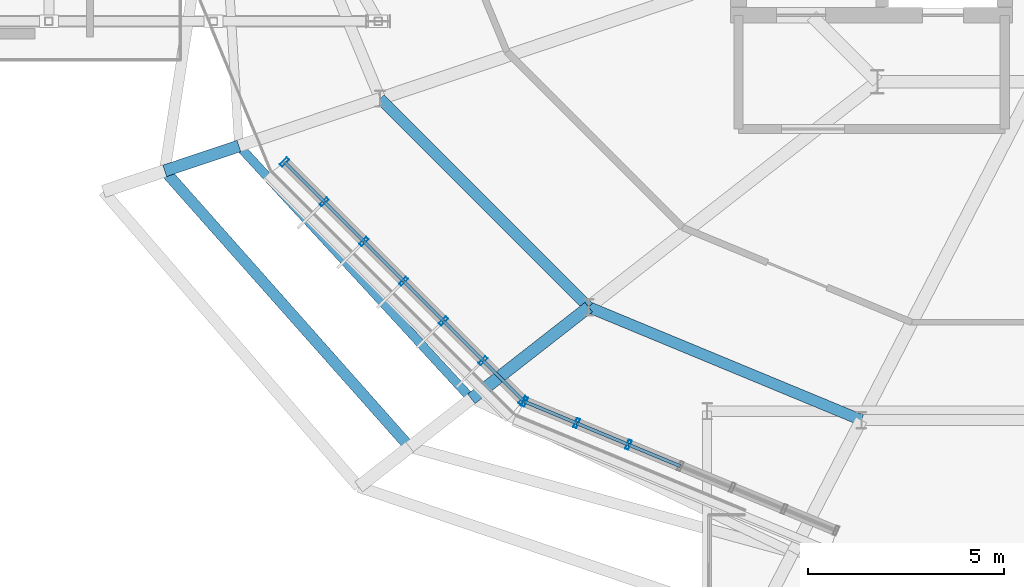
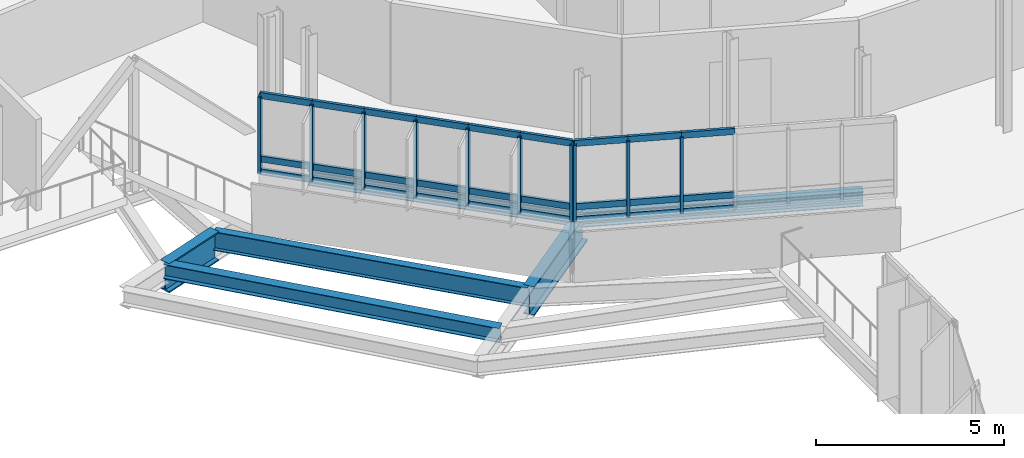
# One storey, part 20 of 107: 37 members, 6 beams, 2 elements without a shape of their own.
"""IFC4 building model written with IfcOpenShell, lengths in metres."""

from ifc_helpers import new_model, si_unit, derived_unit, direction, frame, origin, origin_2d, place, context, subcontext, project, spatial, hollow_rectangle, i_section, extrude, material, layer, layer_set, material_profile, profile_set, type_object, element, aggregate, save


model = new_model("IFC4")

# Units and contexts
model_context = context("Model", 3, precision=1e-05, world=origin(), true_north=direction((0.0, 1.0)))
body_context = subcontext(model_context, "Body", "Model", "MODEL_VIEW")
ifc_project = project(units=[si_unit("LENGTHUNIT", "METRE"), si_unit("AREAUNIT", "SQUARE_METRE"), si_unit("VOLUMEUNIT", "CUBIC_METRE"), si_unit("PLANEANGLEUNIT", "RADIAN"), si_unit("MASSUNIT", "GRAM", prefix="KILO"), derived_unit("THERMALTRANSMITTANCEUNIT", [(si_unit("MASSUNIT", "GRAM", prefix="KILO"), 1), (si_unit("TIMEUNIT", "SECOND"), -3), (si_unit("THERMODYNAMICTEMPERATUREUNIT", "KELVIN"), -1)])], contexts=[model_context])

# Site, building, storey
site_placement = place(None, origin())
site = spatial("IfcSite", under=ifc_project, at=site_placement, CompositionType="ELEMENT")
building_placement = place(site_placement, origin())
building = spatial("IfcBuilding", under=site, at=building_placement, Name="Makaiwela Harbour Ferry Terminal", CompositionType="ELEMENT")
storey_placement = place(building_placement, frame((0.0, 0.0, 9.60009765625)))
storey = spatial("IfcBuildingStorey", under=building, at=storey_placement, Name="L02", CompositionType="ELEMENT", Elevation=9.60009765625)

# Curtain wall, members
ifc_material_1 = material(Name="Marine anodised aluminium 6063-T6", Category="aluminium")
ifc_layer = layer(ifc_material_1, 0.199951171875)
ifc_layer_set = layer_set([ifc_layer], Name="Marine anodised aluminium 6063-T6")
curtain_wall_type = type_object("IfcCurtainWallType", Name="ENV-CW-04", PredefinedType="USERDEFINED", material=ifc_layer_set)
curtain_wall_1_placement = place(storey_placement, origin())
curtain_wall_1 = element("IfcCurtainWall", 1, at=curtain_wall_1_placement, inside=storey, type_object=curtain_wall_type, Name="Unitised Curtain Wall CWA-025", ObjectType="UNITIZED CURTAIN WALL", PredefinedType="USERDEFINED")
ifc_material_profile_1 = material_profile(ifc_material_1, hollow_rectangle(XDim=0.0849609375, YDim=0.25, WallThickness=0.0048828125, at=origin_2d()), Name="CWM-250X85")
ifc_profile_set_1 = profile_set([ifc_material_profile_1], Name="Marine anodised aluminium 6063-T6")
member_type_1 = type_object("IfcMemberType", Name="CW-MUL-250", PredefinedType="MULLION", material=ifc_profile_set_1)
member_1_placement = place(storey_placement, frame((18.612548828125, 55.755126953125, 1.47998046875), z_axis=(0.0, 0.0, 1.0), x_axis=(-0.707106781187, 0.707106781187, 0.0)))
member_1 = element("IfcMember", 2, at=member_1_placement, type_object=member_type_1, Name="Curtain Wall Mullion CWA-025-1", PredefinedType="MULLION", context=body_context, shape_type="SweptSolid", body=[
    extrude(hollow_rectangle(XDim=0.0849609375, YDim=0.25, WallThickness=0.0048828125, at=origin_2d()), origin(), (0.0, 0.0, 1.0), 2.47998046875),
])
member_2_placement = place(storey_placement, frame((19.62646484375, 54.7412109375, 1.47998046875), z_axis=(0.0, 0.0, 1.0), x_axis=(-0.707106781187, 0.707106781187, 0.0)))
member_2 = element("IfcMember", 3, at=member_2_placement, type_object=member_type_1, Name="Curtain Wall Mullion CWA-025-2", PredefinedType="MULLION", context=body_context, shape_type="SweptSolid", body=[
    extrude(hollow_rectangle(XDim=0.0849609375, YDim=0.25, WallThickness=0.0048828125, at=origin_2d()), origin(), (0.0, 0.0, 1.0), 2.47998046875),
])
member_3_placement = place(storey_placement, frame((20.64013671875, 53.7275390625, 1.47998046875), z_axis=(0.0, 0.0, 1.0), x_axis=(-0.707106781187, 0.707106781187, 0.0)))
member_3 = element("IfcMember", 4, at=member_3_placement, type_object=member_type_1, Name="Curtain Wall Mullion CWA-025-3", PredefinedType="MULLION", context=body_context, shape_type="SweptSolid", body=[
    extrude(hollow_rectangle(XDim=0.0849609375, YDim=0.25, WallThickness=0.0048828125, at=origin_2d()), origin(), (0.0, 0.0, 1.0), 2.47998046875),
])
member_4_placement = place(storey_placement, frame((21.65380859375, 52.7138671875, 1.47998046875), z_axis=(0.0, 0.0, 1.0), x_axis=(-0.707106781187, 0.707106781187, 0.0)))
member_4 = element("IfcMember", 5, at=member_4_placement, type_object=member_type_1, Name="Curtain Wall Mullion CWA-025-4", PredefinedType="MULLION", context=body_context, shape_type="SweptSolid", body=[
    extrude(hollow_rectangle(XDim=0.0849609375, YDim=0.25, WallThickness=0.0048828125, at=origin_2d()), origin(), (0.0, 0.0, 1.0), 2.47998046875),
])
member_5_placement = place(storey_placement, frame((22.66748046875, 51.7001953125, 1.47998046875), z_axis=(0.0, 0.0, 1.0), x_axis=(-0.707106781187, 0.707106781187, 0.0)))
member_5 = element("IfcMember", 6, at=member_5_placement, type_object=member_type_1, Name="Curtain Wall Mullion CWA-025-5", PredefinedType="MULLION", context=body_context, shape_type="SweptSolid", body=[
    extrude(hollow_rectangle(XDim=0.0849609375, YDim=0.25, WallThickness=0.0048828125, at=origin_2d()), origin(), (0.0, 0.0, 1.0), 2.47998046875),
])
member_6_placement = place(storey_placement, frame((23.681396484375, 50.686279296875, 1.47998046875), z_axis=(0.0, 0.0, 1.0), x_axis=(-0.707106781187, 0.707106781187, 0.0)))
member_6 = element("IfcMember", 7, at=member_6_placement, type_object=member_type_1, Name="Curtain Wall Mullion CWA-025-6", PredefinedType="MULLION", context=body_context, shape_type="SweptSolid", body=[
    extrude(hollow_rectangle(XDim=0.0849609375, YDim=0.25, WallThickness=0.0048828125, at=origin_2d()), origin(), (0.0, 0.0, 1.0), 2.47998046875),
])
member_7_placement = place(storey_placement, frame((24.695068359375, 49.672607421875, 1.47998046875), z_axis=(0.0, 0.0, 1.0), x_axis=(-0.707106781187, 0.707106781187, 0.0)))
member_7 = element("IfcMember", 8, at=member_7_placement, type_object=member_type_1, Name="Curtain Wall Mullion CWA-025-7", PredefinedType="MULLION", context=body_context, shape_type="SweptSolid", body=[
    extrude(hollow_rectangle(XDim=0.0849609375, YDim=0.25, WallThickness=0.0048828125, at=origin_2d()), origin(), (0.0, 0.0, 1.0), 2.47998046875),
])

curtain_wall_2_placement = place(storey_placement, origin())
curtain_wall_2 = element("IfcCurtainWall", 9, at=curtain_wall_2_placement, inside=storey, type_object=curtain_wall_type, Name="Unitised Curtain Wall CWA-026", ObjectType="UNITIZED CURTAIN WALL", PredefinedType="USERDEFINED")
member_8_placement = place(storey_placement, frame((24.743896484375, 49.639892578125, 1.47998046875), z_axis=(0.0, 0.0, 1.0), x_axis=(-0.923879532511, 0.382683432365, 0.0)))
member_8 = element("IfcMember", 10, at=member_8_placement, type_object=member_type_1, Name="Curtain Wall Mullion CWA-026-1", PredefinedType="MULLION", context=body_context, shape_type="SweptSolid", body=[
    extrude(hollow_rectangle(XDim=0.0849609375, YDim=0.25, WallThickness=0.0048828125, at=origin_2d()), origin(), (0.0, 0.0, 1.0), 2.47998046875),
])
member_9_placement = place(storey_placement, frame((26.068603515625, 49.09130859375, 1.47998046875), z_axis=(0.0, 0.0, 1.0), x_axis=(-0.923879532511, 0.382683432365, 0.0)))
member_9 = element("IfcMember", 11, at=member_9_placement, type_object=member_type_1, Name="Curtain Wall Mullion CWA-026-2", PredefinedType="MULLION", context=body_context, shape_type="SweptSolid", body=[
    extrude(hollow_rectangle(XDim=0.0849609375, YDim=0.25, WallThickness=0.0048828125, at=origin_2d()), origin(), (0.0, 0.0, 1.0), 2.47998046875),
])
member_10_placement = place(storey_placement, frame((27.39306640625, 48.54248046875, 1.47998046875), z_axis=(0.0, 0.0, 1.0), x_axis=(-0.923879532511, 0.382683432365, 0.0)))
member_10 = element("IfcMember", 12, at=member_10_placement, type_object=member_type_1, Name="Curtain Wall Mullion CWA-026-3", PredefinedType="MULLION", context=body_context, shape_type="SweptSolid", body=[
    extrude(hollow_rectangle(XDim=0.0849609375, YDim=0.25, WallThickness=0.0048828125, at=origin_2d()), origin(), (0.0, 0.0, 1.0), 2.47998046875),
])

# Member
ifc_material_profile_2 = material_profile(ifc_material_1, hollow_rectangle(XDim=0.0849609375, YDim=0.199951171875, WallThickness=0.0048828125, at=origin_2d()), Name="CWT-200X85")
ifc_profile_set_2 = profile_set([ifc_material_profile_2], Name="Marine anodised aluminium 6063-T6")
member_type_2 = type_object("IfcMemberType", Name="CW-TRN-200", PredefinedType="USERDEFINED", material=ifc_profile_set_2)
member_11_placement = place(storey_placement, frame((18.612548828125, 55.755126953125, 1.47998046875), z_axis=(0.707106781187, -0.707106781187, 0.0), x_axis=(0.707106781187, 0.707106781187, 0.0)))
member_11 = element("IfcMember", 13, at=member_11_placement, type_object=member_type_2, Name="Curtain Wall Transom CWA-025-1-1", ObjectType="TRANSOM", PredefinedType="USERDEFINED", context=body_context, shape_type="SweptSolid", body=[
    extrude(hollow_rectangle(XDim=0.0849609375, YDim=0.199951171875, WallThickness=0.0048828125, at=origin_2d()), origin(), (0.0, 0.0, 1.0), 1.433837890625),
])

member_12_placement = place(storey_placement, frame((18.612548828125, 55.755126953125, 1.89990234375), z_axis=(0.707106781187, -0.707106781187, 0.0), x_axis=(0.707106781187, 0.707106781187, 0.0)))
member_12 = element("IfcMember", 14, at=member_12_placement, type_object=member_type_2, Name="Curtain Wall Transom CWA-025-1-2", ObjectType="TRANSOM", PredefinedType="USERDEFINED", context=body_context, shape_type="SweptSolid", body=[
    extrude(hollow_rectangle(XDim=0.0849609375, YDim=0.199951171875, WallThickness=0.0048828125, at=origin_2d()), origin(), (0.0, 0.0, 1.0), 1.433837890625),
])

member_13_placement = place(storey_placement, frame((18.612548828125, 55.755126953125, 3.9599609375), z_axis=(0.707106781187, -0.707106781187, 0.0), x_axis=(0.707106781187, 0.707106781187, 0.0)))
member_13 = element("IfcMember", 15, at=member_13_placement, type_object=member_type_2, Name="Curtain Wall Transom CWA-025-1-3", ObjectType="TRANSOM", PredefinedType="USERDEFINED", context=body_context, shape_type="SweptSolid", body=[
    extrude(hollow_rectangle(XDim=0.0849609375, YDim=0.199951171875, WallThickness=0.0048828125, at=origin_2d()), origin(), (0.0, 0.0, 1.0), 1.433837890625),
])

member_14_placement = place(storey_placement, frame((19.62646484375, 54.7412109375, 1.47998046875), z_axis=(0.707106781187, -0.707106781187, 0.0), x_axis=(0.707106781187, 0.707106781187, 0.0)))
member_14 = element("IfcMember", 16, at=member_14_placement, type_object=member_type_2, Name="Curtain Wall Transom CWA-025-2-1", ObjectType="TRANSOM", PredefinedType="USERDEFINED", context=body_context, shape_type="SweptSolid", body=[
    extrude(hollow_rectangle(XDim=0.0849609375, YDim=0.199951171875, WallThickness=0.0048828125, at=origin_2d()), origin(), (0.0, 0.0, 1.0), 1.43359375),
])

member_15_placement = place(storey_placement, frame((19.62646484375, 54.7412109375, 1.89990234375), z_axis=(0.707106781187, -0.707106781187, 0.0), x_axis=(0.707106781187, 0.707106781187, 0.0)))
member_15 = element("IfcMember", 17, at=member_15_placement, type_object=member_type_2, Name="Curtain Wall Transom CWA-025-2-2", ObjectType="TRANSOM", PredefinedType="USERDEFINED", context=body_context, shape_type="SweptSolid", body=[
    extrude(hollow_rectangle(XDim=0.0849609375, YDim=0.199951171875, WallThickness=0.0048828125, at=origin_2d()), origin(), (0.0, 0.0, 1.0), 1.43359375),
])

member_16_placement = place(storey_placement, frame((19.62646484375, 54.7412109375, 3.9599609375), z_axis=(0.707106781187, -0.707106781187, 0.0), x_axis=(0.707106781187, 0.707106781187, 0.0)))
member_16 = element("IfcMember", 18, at=member_16_placement, type_object=member_type_2, Name="Curtain Wall Transom CWA-025-2-3", ObjectType="TRANSOM", PredefinedType="USERDEFINED", context=body_context, shape_type="SweptSolid", body=[
    extrude(hollow_rectangle(XDim=0.0849609375, YDim=0.199951171875, WallThickness=0.0048828125, at=origin_2d()), origin(), (0.0, 0.0, 1.0), 1.43359375),
])

member_17_placement = place(storey_placement, frame((20.64013671875, 53.7275390625, 1.47998046875), z_axis=(0.707106781187, -0.707106781187, 0.0), x_axis=(0.707106781187, 0.707106781187, 0.0)))
member_17 = element("IfcMember", 19, at=member_17_placement, type_object=member_type_2, Name="Curtain Wall Transom CWA-025-3-1", ObjectType="TRANSOM", PredefinedType="USERDEFINED", context=body_context, shape_type="SweptSolid", body=[
    extrude(hollow_rectangle(XDim=0.0849609375, YDim=0.199951171875, WallThickness=0.0048828125, at=origin_2d()), origin(), (0.0, 0.0, 1.0), 1.43359375),
])

member_18_placement = place(storey_placement, frame((20.64013671875, 53.7275390625, 1.89990234375), z_axis=(0.707106781187, -0.707106781187, 0.0), x_axis=(0.707106781187, 0.707106781187, 0.0)))
member_18 = element("IfcMember", 20, at=member_18_placement, type_object=member_type_2, Name="Curtain Wall Transom CWA-025-3-2", ObjectType="TRANSOM", PredefinedType="USERDEFINED", context=body_context, shape_type="SweptSolid", body=[
    extrude(hollow_rectangle(XDim=0.0849609375, YDim=0.199951171875, WallThickness=0.0048828125, at=origin_2d()), origin(), (0.0, 0.0, 1.0), 1.43359375),
])

member_19_placement = place(storey_placement, frame((20.64013671875, 53.7275390625, 3.9599609375), z_axis=(0.707106781187, -0.707106781187, 0.0), x_axis=(0.707106781187, 0.707106781187, 0.0)))
member_19 = element("IfcMember", 21, at=member_19_placement, type_object=member_type_2, Name="Curtain Wall Transom CWA-025-3-3", ObjectType="TRANSOM", PredefinedType="USERDEFINED", context=body_context, shape_type="SweptSolid", body=[
    extrude(hollow_rectangle(XDim=0.0849609375, YDim=0.199951171875, WallThickness=0.0048828125, at=origin_2d()), origin(), (0.0, 0.0, 1.0), 1.43359375),
])

member_20_placement = place(storey_placement, frame((21.65380859375, 52.7138671875, 1.47998046875), z_axis=(0.707106781187, -0.707106781187, 0.0), x_axis=(0.707106781187, 0.707106781187, 0.0)))
member_20 = element("IfcMember", 22, at=member_20_placement, type_object=member_type_2, Name="Curtain Wall Transom CWA-025-4-1", ObjectType="TRANSOM", PredefinedType="USERDEFINED", context=body_context, shape_type="SweptSolid", body=[
    extrude(hollow_rectangle(XDim=0.0849609375, YDim=0.199951171875, WallThickness=0.0048828125, at=origin_2d()), origin(), (0.0, 0.0, 1.0), 1.43359375),
])

member_21_placement = place(storey_placement, frame((21.65380859375, 52.7138671875, 1.89990234375), z_axis=(0.707106781187, -0.707106781187, 0.0), x_axis=(0.707106781187, 0.707106781187, 0.0)))
member_21 = element("IfcMember", 23, at=member_21_placement, type_object=member_type_2, Name="Curtain Wall Transom CWA-025-4-2", ObjectType="TRANSOM", PredefinedType="USERDEFINED", context=body_context, shape_type="SweptSolid", body=[
    extrude(hollow_rectangle(XDim=0.0849609375, YDim=0.199951171875, WallThickness=0.0048828125, at=origin_2d()), origin(), (0.0, 0.0, 1.0), 1.43359375),
])

member_22_placement = place(storey_placement, frame((21.65380859375, 52.7138671875, 3.9599609375), z_axis=(0.707106781187, -0.707106781187, 0.0), x_axis=(0.707106781187, 0.707106781187, 0.0)))
member_22 = element("IfcMember", 24, at=member_22_placement, type_object=member_type_2, Name="Curtain Wall Transom CWA-025-4-3", ObjectType="TRANSOM", PredefinedType="USERDEFINED", context=body_context, shape_type="SweptSolid", body=[
    extrude(hollow_rectangle(XDim=0.0849609375, YDim=0.199951171875, WallThickness=0.0048828125, at=origin_2d()), origin(), (0.0, 0.0, 1.0), 1.43359375),
])

member_23_placement = place(storey_placement, frame((22.66748046875, 51.7001953125, 1.47998046875), z_axis=(0.707106781187, -0.707106781187, 0.0), x_axis=(0.707106781187, 0.707106781187, 0.0)))
member_23 = element("IfcMember", 25, at=member_23_placement, type_object=member_type_2, Name="Curtain Wall Transom CWA-025-5-1", ObjectType="TRANSOM", PredefinedType="USERDEFINED", context=body_context, shape_type="SweptSolid", body=[
    extrude(hollow_rectangle(XDim=0.0849609375, YDim=0.199951171875, WallThickness=0.0048828125, at=origin_2d()), origin(), (0.0, 0.0, 1.0), 1.433837890625),
])

member_24_placement = place(storey_placement, frame((22.66748046875, 51.7001953125, 1.89990234375), z_axis=(0.707106781187, -0.707106781187, 0.0), x_axis=(0.707106781187, 0.707106781187, 0.0)))
member_24 = element("IfcMember", 26, at=member_24_placement, type_object=member_type_2, Name="Curtain Wall Transom CWA-025-5-2", ObjectType="TRANSOM", PredefinedType="USERDEFINED", context=body_context, shape_type="SweptSolid", body=[
    extrude(hollow_rectangle(XDim=0.0849609375, YDim=0.199951171875, WallThickness=0.0048828125, at=origin_2d()), origin(), (0.0, 0.0, 1.0), 1.433837890625),
])

member_25_placement = place(storey_placement, frame((22.66748046875, 51.7001953125, 3.9599609375), z_axis=(0.707106781187, -0.707106781187, 0.0), x_axis=(0.707106781187, 0.707106781187, 0.0)))
member_25 = element("IfcMember", 27, at=member_25_placement, type_object=member_type_2, Name="Curtain Wall Transom CWA-025-5-3", ObjectType="TRANSOM", PredefinedType="USERDEFINED", context=body_context, shape_type="SweptSolid", body=[
    extrude(hollow_rectangle(XDim=0.0849609375, YDim=0.199951171875, WallThickness=0.0048828125, at=origin_2d()), origin(), (0.0, 0.0, 1.0), 1.433837890625),
])

member_26_placement = place(storey_placement, frame((23.681396484375, 50.686279296875, 1.47998046875), z_axis=(0.707106781187, -0.707106781187, 0.0), x_axis=(0.707106781187, 0.707106781187, 0.0)))
member_26 = element("IfcMember", 28, at=member_26_placement, type_object=member_type_2, Name="Curtain Wall Transom CWA-025-6-1", ObjectType="TRANSOM", PredefinedType="USERDEFINED", context=body_context, shape_type="SweptSolid", body=[
    extrude(hollow_rectangle(XDim=0.0849609375, YDim=0.199951171875, WallThickness=0.0048828125, at=origin_2d()), origin(), (0.0, 0.0, 1.0), 1.43359375),
])

member_27_placement = place(storey_placement, frame((23.681396484375, 50.686279296875, 1.89990234375), z_axis=(0.707106781187, -0.707106781187, 0.0), x_axis=(0.707106781187, 0.707106781187, 0.0)))
member_27 = element("IfcMember", 29, at=member_27_placement, type_object=member_type_2, Name="Curtain Wall Transom CWA-025-6-2", ObjectType="TRANSOM", PredefinedType="USERDEFINED", context=body_context, shape_type="SweptSolid", body=[
    extrude(hollow_rectangle(XDim=0.0849609375, YDim=0.199951171875, WallThickness=0.0048828125, at=origin_2d()), origin(), (0.0, 0.0, 1.0), 1.43359375),
])

member_28_placement = place(storey_placement, frame((23.681396484375, 50.686279296875, 3.9599609375), z_axis=(0.707106781187, -0.707106781187, 0.0), x_axis=(0.707106781187, 0.707106781187, 0.0)))
member_28 = element("IfcMember", 30, at=member_28_placement, type_object=member_type_2, Name="Curtain Wall Transom CWA-025-6-3", ObjectType="TRANSOM", PredefinedType="USERDEFINED", context=body_context, shape_type="SweptSolid", body=[
    extrude(hollow_rectangle(XDim=0.0849609375, YDim=0.199951171875, WallThickness=0.0048828125, at=origin_2d()), origin(), (0.0, 0.0, 1.0), 1.43359375),
])

aggregate(curtain_wall_1, [member_1, member_2, member_3, member_4, member_5, member_6, member_7, member_11, member_12, member_13, member_14, member_15, member_16, member_17, member_18, member_19, member_20, member_21, member_22, member_23, member_24, member_25, member_26, member_27, member_28])

member_29_placement = place(storey_placement, frame((24.743896484375, 49.639892578125, 1.47998046875), z_axis=(0.923911001953, -0.382607449574, 0.0), x_axis=(0.382607449574, 0.923911001953, 0.0)))
member_29 = element("IfcMember", 31, at=member_29_placement, type_object=member_type_2, Name="Curtain Wall Transom CWA-026-1-1", ObjectType="TRANSOM", PredefinedType="USERDEFINED", context=body_context, shape_type="SweptSolid", body=[
    extrude(hollow_rectangle(XDim=0.0849609375, YDim=0.199951171875, WallThickness=0.0048828125, at=origin_2d()), origin(), (0.0, 0.0, 1.0), 1.433837890625),
])

member_30_placement = place(storey_placement, frame((24.743896484375, 49.639892578125, 1.89990234375), z_axis=(0.923911001953, -0.382607449574, 0.0), x_axis=(0.382607449574, 0.923911001953, 0.0)))
member_30 = element("IfcMember", 32, at=member_30_placement, type_object=member_type_2, Name="Curtain Wall Transom CWA-026-1-2", ObjectType="TRANSOM", PredefinedType="USERDEFINED", context=body_context, shape_type="SweptSolid", body=[
    extrude(hollow_rectangle(XDim=0.0849609375, YDim=0.199951171875, WallThickness=0.0048828125, at=origin_2d()), origin(), (0.0, 0.0, 1.0), 1.433837890625),
])

member_31_placement = place(storey_placement, frame((24.743896484375, 49.639892578125, 3.9599609375), z_axis=(0.923911001953, -0.382607449574, 0.0), x_axis=(0.382607449574, 0.923911001953, 0.0)))
member_31 = element("IfcMember", 33, at=member_31_placement, type_object=member_type_2, Name="Curtain Wall Transom CWA-026-1-3", ObjectType="TRANSOM", PredefinedType="USERDEFINED", context=body_context, shape_type="SweptSolid", body=[
    extrude(hollow_rectangle(XDim=0.0849609375, YDim=0.199951171875, WallThickness=0.0048828125, at=origin_2d()), origin(), (0.0, 0.0, 1.0), 1.433837890625),
])

member_32_placement = place(storey_placement, frame((26.068603515625, 49.09130859375, 1.47998046875), z_axis=(0.923825853652, -0.382812998896, 0.0), x_axis=(0.382812998896, 0.923825853652, 0.0)))
member_32 = element("IfcMember", 34, at=member_32_placement, type_object=member_type_2, Name="Curtain Wall Transom CWA-026-2-1", ObjectType="TRANSOM", PredefinedType="USERDEFINED", context=body_context, shape_type="SweptSolid", body=[
    extrude(hollow_rectangle(XDim=0.0849609375, YDim=0.199951171875, WallThickness=0.0048828125, at=origin_2d()), origin(), (0.0, 0.0, 1.0), 1.43359375),
])

member_33_placement = place(storey_placement, frame((26.068603515625, 49.09130859375, 1.89990234375), z_axis=(0.923825853652, -0.382812998896, 0.0), x_axis=(0.382812998896, 0.923825853652, 0.0)))
member_33 = element("IfcMember", 35, at=member_33_placement, type_object=member_type_2, Name="Curtain Wall Transom CWA-026-2-2", ObjectType="TRANSOM", PredefinedType="USERDEFINED", context=body_context, shape_type="SweptSolid", body=[
    extrude(hollow_rectangle(XDim=0.0849609375, YDim=0.199951171875, WallThickness=0.0048828125, at=origin_2d()), origin(), (0.0, 0.0, 1.0), 1.43359375),
])

member_34_placement = place(storey_placement, frame((26.068603515625, 49.09130859375, 3.9599609375), z_axis=(0.923825853652, -0.382812998896, 0.0), x_axis=(0.382812998896, 0.923825853652, 0.0)))
member_34 = element("IfcMember", 36, at=member_34_placement, type_object=member_type_2, Name="Curtain Wall Transom CWA-026-2-3", ObjectType="TRANSOM", PredefinedType="USERDEFINED", context=body_context, shape_type="SweptSolid", body=[
    extrude(hollow_rectangle(XDim=0.0849609375, YDim=0.199951171875, WallThickness=0.0048828125, at=origin_2d()), origin(), (0.0, 0.0, 1.0), 1.43359375),
])

member_35_placement = place(storey_placement, frame((27.39306640625, 48.54248046875, 1.47998046875), z_axis=(0.923886069806, -0.382667649558, 0.0), x_axis=(0.382667649558, 0.923886069806, 0.0)))
member_35 = element("IfcMember", 37, at=member_35_placement, type_object=member_type_2, Name="Curtain Wall Transom CWA-026-3-1", ObjectType="TRANSOM", PredefinedType="USERDEFINED", context=body_context, shape_type="SweptSolid", body=[
    extrude(hollow_rectangle(XDim=0.0849609375, YDim=0.199951171875, WallThickness=0.0048828125, at=origin_2d()), origin(), (0.0, 0.0, 1.0), 1.43359375),
])

member_36_placement = place(storey_placement, frame((27.39306640625, 48.54248046875, 1.89990234375), z_axis=(0.923886069806, -0.382667649558, 0.0), x_axis=(0.382667649558, 0.923886069806, 0.0)))
member_36 = element("IfcMember", 38, at=member_36_placement, type_object=member_type_2, Name="Curtain Wall Transom CWA-026-3-2", ObjectType="TRANSOM", PredefinedType="USERDEFINED", context=body_context, shape_type="SweptSolid", body=[
    extrude(hollow_rectangle(XDim=0.0849609375, YDim=0.199951171875, WallThickness=0.0048828125, at=origin_2d()), origin(), (0.0, 0.0, 1.0), 1.43359375),
])

member_37_placement = place(storey_placement, frame((27.39306640625, 48.54248046875, 3.9599609375), z_axis=(0.923886069806, -0.382667649558, 0.0), x_axis=(0.382667649558, 0.923886069806, 0.0)))
member_37 = element("IfcMember", 39, at=member_37_placement, type_object=member_type_2, Name="Curtain Wall Transom CWA-026-3-3", ObjectType="TRANSOM", PredefinedType="USERDEFINED", context=body_context, shape_type="SweptSolid", body=[
    extrude(hollow_rectangle(XDim=0.0849609375, YDim=0.199951171875, WallThickness=0.0048828125, at=origin_2d()), origin(), (0.0, 0.0, 1.0), 1.43359375),
])

aggregate(curtain_wall_2, [member_8, member_9, member_10, member_29, member_30, member_31, member_32, member_33, member_34, member_35, member_36, member_37])

# Beams
ifc_material_2 = material(Name="Steel ASTM A992 Grade 50", Category="steel")
ifc_material_profile_3 = material_profile(ifc_material_2, i_section(OverallWidth=0.280029296875, OverallDepth=0.462890625, WebThickness=0.0107421875, FlangeThickness=0.017333984375, at=origin_2d()), Name="W18X76")
ifc_profile_set_3 = profile_set([ifc_material_profile_3], Name="Steel ASTM A992 Grade 50")
beam_type_1 = type_object("IfcBeamType", Name="STR-BM-W18X76", PredefinedType="BEAM", material=ifc_profile_set_3)
beam_1_placement = place(storey_placement, frame((15.55419921875, 55.531494140625, -0.49169921875), z_axis=(0.663557769393, -0.748125047488, 0.0), x_axis=(0.748125047488, 0.663557769393, 0.0)))
element("IfcBeam", 40, at=beam_1_placement, inside=storey, type_object=beam_type_1, Name="Drum stage2 tie girder 215", PredefinedType="BEAM", context=body_context, shape_type="SweptSolid", body=[
    extrude(i_section(OverallWidth=0.280029296875, OverallDepth=0.462890625, WebThickness=0.0107421875, FlangeThickness=0.017333984375, at=origin_2d()), origin(), (0.0, 0.0, 1.0), 9.4228515625),
])
ifc_material_profile_4 = material_profile(ifc_material_2, i_section(OverallWidth=0.22900390625, OverallDepth=0.612060546875, WebThickness=0.011962890625, FlangeThickness=0.01953125, at=origin_2d()), Name="W24X84")
ifc_profile_set_4 = profile_set([ifc_material_profile_4], Name="Steel ASTM A992 Grade 50")
beam_type_2 = type_object("IfcBeamType", Name="STR-GRD-W24X84", PredefinedType="USERDEFINED", material=ifc_profile_set_4)
beam_2_placement = place(storey_placement, frame((17.4501953125, 56.168212890625, -0.566162109375), z_axis=(0.676696289264, -0.73626227127, 0.0), x_axis=(0.73626227127, 0.676696289264, 0.0)))
element("IfcBeam", 41, at=beam_2_placement, inside=storey, type_object=beam_type_2, Name="Drum overhang tie girder 214", ObjectType="GIRDER", PredefinedType="USERDEFINED", context=body_context, shape_type="SweptSolid", body=[
    extrude(i_section(OverallWidth=0.22900390625, OverallDepth=0.612060546875, WebThickness=0.011962890625, FlangeThickness=0.01953125, at=origin_2d()), origin(), (0.0, 0.0, 1.0), 8.76708984375),
])
ifc_material_profile_5 = material_profile(ifc_material_2, i_section(OverallWidth=0.31005859375, OverallDepth=0.949951171875, WebThickness=0.0244140625, FlangeThickness=0.0439453125, at=origin_2d()), Name="W36X256")
ifc_profile_set_5 = profile_set([ifc_material_profile_5], Name="Steel ASTM A992 Grade 50")
beam_type_3 = type_object("IfcBeamType", Name="STR-GRD-W36X256", PredefinedType="USERDEFINED", material=ifc_profile_set_5)
beam_3_placement = place(storey_placement, frame((17.4501953125, 56.168212890625, -0.735107421875), z_axis=(-0.947972931362, -0.318350940638, 0.0), x_axis=(0.318350940638, -0.947972931362, 0.0)))
element("IfcBeam", 42, at=beam_3_placement, inside=storey, type_object=beam_type_3, Name="Drum overhang radial girder 177", ObjectType="GIRDER", PredefinedType="USERDEFINED", context=body_context, shape_type="SweptSolid", body=[
    extrude(i_section(OverallWidth=0.31005859375, OverallDepth=0.949951171875, WebThickness=0.0244140625, FlangeThickness=0.0439453125, at=origin_2d()), origin(), (0.0, 0.0, 1.0), 2.0),
])
beam_4_placement = place(storey_placement, frame((26.37744140625, 52.052490234375, -0.735107421875), z_axis=(-0.788080866077, -0.615571724921, 0.0), x_axis=(0.615571724921, -0.788080866077, 0.0)))
element("IfcBeam", 43, at=beam_4_placement, inside=storey, type_object=beam_type_3, Name="Drum radial overhang 180", ObjectType="GIRDER", PredefinedType="USERDEFINED", context=body_context, shape_type="SweptSolid", body=[
    extrude(i_section(OverallWidth=0.31005859375, OverallDepth=0.949951171875, WebThickness=0.0244140625, FlangeThickness=0.0439453125, at=origin_2d()), origin(), (0.0, 0.0, 1.0), 3.7998046875),
])
ifc_material_profile_6 = material_profile(ifc_material_2, i_section(OverallWidth=0.283935546875, OverallDepth=0.47607421875, WebThickness=0.014892578125, FlangeThickness=0.02392578125, at=origin_2d()), Name="W18X106")
ifc_profile_set_6 = profile_set([ifc_material_profile_6], Name="Steel ASTM A992 Grade 50")
beam_type_4 = type_object("IfcBeamType", Name="STR-SPN-W18X106", PredefinedType="SPANDREL", material=ifc_profile_set_6)
for number, where, z_axis, x_axis, name in (
    (44, (21.052490234375, 57.37744140625, -0.498046875), (0.707106781187, -0.707106781187, 0.0), (0.707106781187, 0.707106781187, 0.0), "Drum column ring girder 141"),
    (45, (26.37744140625, 52.052490234375, -0.498046875), (0.92388920519, -0.382660079618, 0.0), (0.382660079618, 0.92388920519, 0.0), "Drum column ring girder 142"),
):
    element("IfcBeam", number, at=place(storey_placement, frame(where, z_axis=z_axis, x_axis=x_axis)), inside=storey, type_object=beam_type_4, Name=name, PredefinedType="SPANDREL", context=body_context, shape_type="SweptSolid", body=[
        extrude(i_section(OverallWidth=0.283935546875, OverallDepth=0.47607421875, WebThickness=0.014892578125, FlangeThickness=0.02392578125, at=origin_2d()), origin(), (0.0, 0.0, 1.0), 7.530517578125),
    ])

save(model, "model.ifc")
